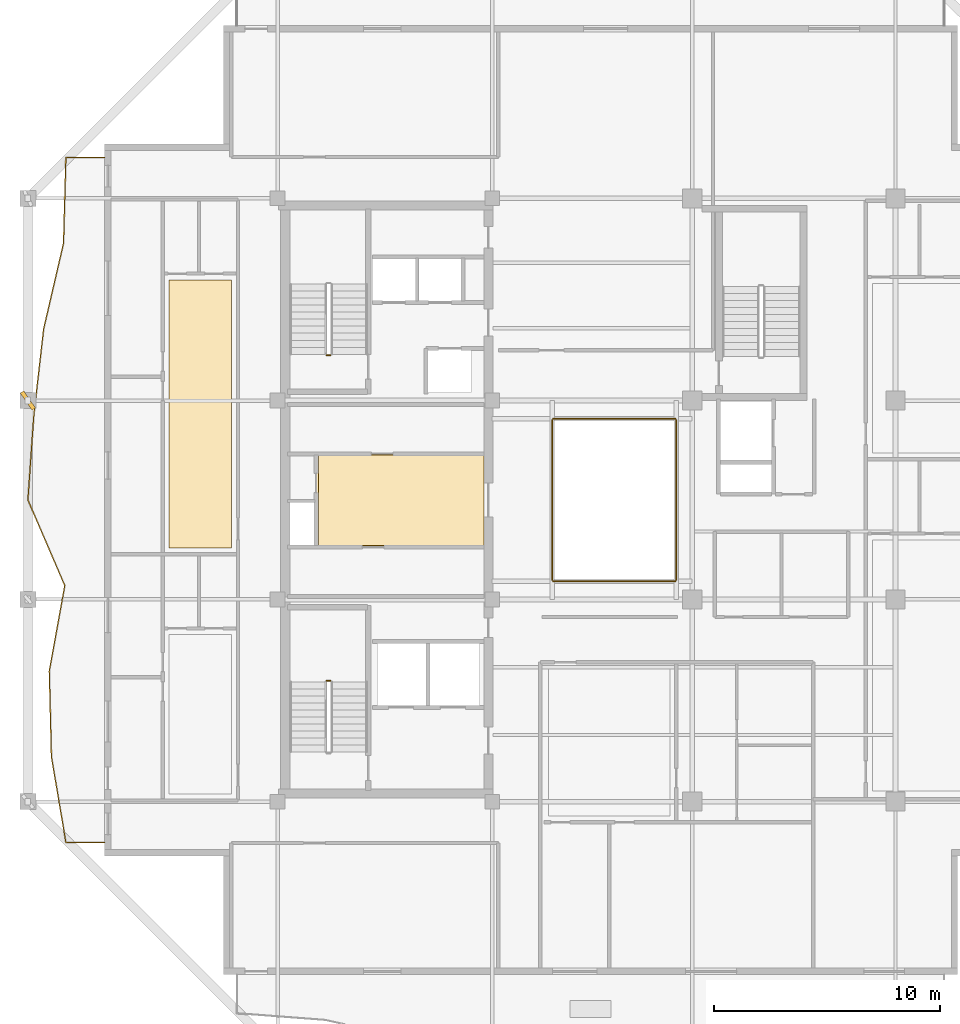
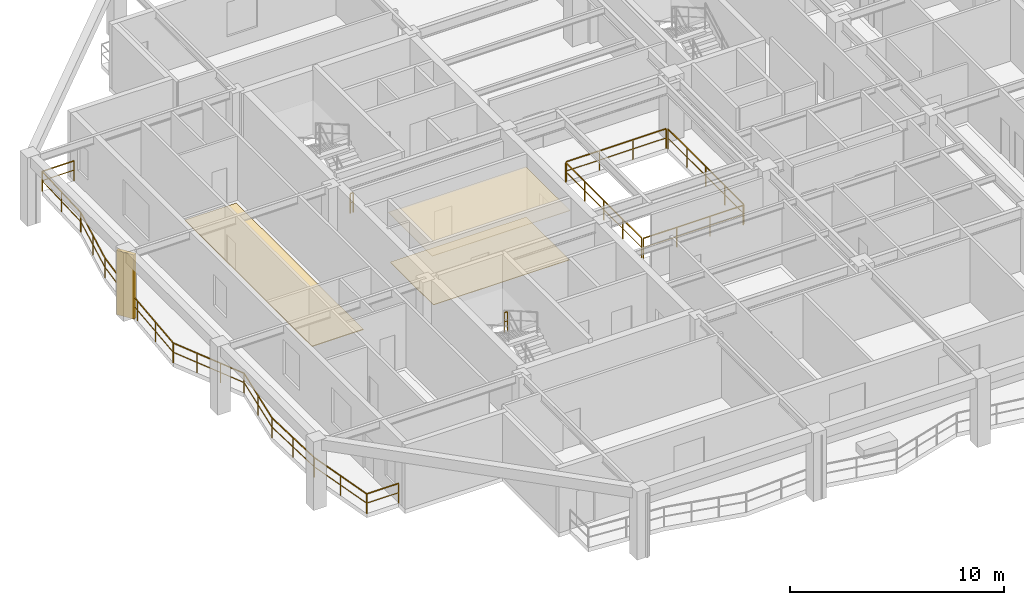
# One storey, part 9 of 12: 7 railings, 3 coverings, 1 shading device.
"""IFC4 building model written with IfcOpenShell, lengths in metres."""

from ifc_helpers import new_model, si_unit, direction, frame, origin, origin_2d, place, context, subcontext, project, spatial, polyline, rectangle, outline, extrude, material, layer, layer_set, type_object, element, save


model = new_model("IFC4")

# Units and contexts
model_context = context("Model", 3, precision=1e-05, world=origin(), true_north=direction((0.0, 1.0)))
body_context = subcontext(model_context, "Body", "Model", "MODEL_VIEW")
ifc_project = project(units=[si_unit("LENGTHUNIT", "METRE"), si_unit("AREAUNIT", "SQUARE_METRE"), si_unit("VOLUMEUNIT", "CUBIC_METRE"), si_unit("PLANEANGLEUNIT", "RADIAN"), si_unit("MASSUNIT", "GRAM", prefix="KILO")], contexts=[model_context])

# Site, building, storey
site_placement = place(None, origin())
site = spatial("IfcSite", under=ifc_project, at=site_placement, CompositionType="ELEMENT")
building_placement = place(site_placement, origin())
building = spatial("IfcBuilding", under=site, at=building_placement, Name="Kundavana Baori Tower", CompositionType="ELEMENT")
storey_placement = place(building_placement, frame((0.0, 0.0, 245.300048828125)))
storey = spatial("IfcBuildingStorey", under=building, at=storey_placement, Name="L60", CompositionType="ELEMENT", Elevation=245.300048828125)

# Coverings
ifc_material_1 = material(Name="Honed Kota Stone and Terrazzo Flooring", Category="masonry")
ifc_layer_1 = layer(ifc_material_1, 0.0400390625, Name="COV-FLR-TERR-40")
ifc_layer_set_1 = layer_set([ifc_layer_1], Name="Honed Kota Stone and Terrazzo Flooring")
covering_type_1 = type_object("IfcCoveringType", Name="COV-FLR-TERR-40", PredefinedType="FLOORING", material=ifc_layer_set_1)
covering_1_placement = place(storey_placement, origin())
element("IfcCovering", 1, at=covering_1_placement, inside=storey, type_object=covering_type_1, Name="L60 Room Finished Stone Flooring 2", PredefinedType="FLOORING", context=body_context, shape_type="SweptSolid", body=[
    extrude(outline(polyline([(10.64990234375, 26.47998046875), (13.419921875, 26.47998046875), (13.419921875, 38.340087890625), (10.64990234375, 38.340087890625), (10.64990234375, 26.47998046875)])), origin(), (0.0, 0.0, 1.0), 0.0400390625),
])
ifc_material_2 = material(Name="Perforated Acoustic Mineral Fibre Ceiling Board")
ifc_layer_2 = layer(ifc_material_2, 0.02490234375, Name="COV-INT-CEIL")
ifc_layer_set_2 = layer_set([ifc_layer_2], Name="Perforated Acoustic Mineral Fibre Ceiling Board")
covering_type_2 = type_object("IfcCoveringType", Name="COV-INT-CEIL", PredefinedType="CEILING", material=ifc_layer_set_2)
covering_2_placement = place(storey_placement, frame((0.0, 0.0, 2.849853515625)))
element("IfcCovering", 2, at=covering_2_placement, inside=storey, type_object=covering_type_2, Name="L60 Core Lift Lobby Acoustic Ceiling", PredefinedType="CEILING", context=body_context, shape_type="SweptSolid", body=[
    extrude(outline(polyline([(17.159912109375, 26.52001953125), (24.580078125, 26.52001953125), (24.580078125, 30.639892578125), (17.159912109375, 30.639892578125), (17.159912109375, 26.52001953125)])), origin(), (0.0, 0.0, 1.0), 0.025146484375),
])
ifc_material_3 = material(Name="Honed Kota Stone and Terrazzo Flooring", Category="masonry")
ifc_layer_3 = layer(ifc_material_3, 0.030029296875, Name="COV-INT-FLR")
ifc_layer_set_3 = layer_set([ifc_layer_3], Name="Honed Kota Stone and Terrazzo Flooring")
covering_type_3 = type_object("IfcCoveringType", Name="COV-INT-FLR", PredefinedType="FLOORING", material=ifc_layer_set_3)
covering_3_placement = place(storey_placement, origin())
element("IfcCovering", 3, at=covering_3_placement, inside=storey, type_object=covering_type_3, Name="L60 Core Lift Lobby Kota Stone Flooring", PredefinedType="FLOORING", context=body_context, shape_type="SweptSolid", body=[
    extrude(outline(polyline([(17.25, 26.580078125), (24.580078125, 26.580078125), (24.580078125, 30.60009765625), (17.25, 30.60009765625), (17.25, 26.580078125)])), origin(), (0.0, 0.0, 1.0), 0.030029296875),
])

# Railings
ifc_material_4 = material(Name="Architectural Patinated Bronze Metalwork")
railing_type_1 = type_object("IfcRailingType", Name="RL-BAL-1150", PredefinedType="BALUSTRADE", material=ifc_material_4)
railing_1_placement = place(storey_placement, frame((7.800048828125, 13.449951171875, 0.0)))
element("IfcRailing", 4, at=railing_1_placement, inside=storey, type_object=railing_type_1, Name="L60 Loggia Balcony Balustrade W", PredefinedType="BALUSTRADE", context=body_context, shape_type="SweptSolid", body=[
    extrude(rectangle(XDim=0.048095703125, YDim=0.048095703125, at=origin_2d()), frame((0.0, 0.0, 1.1259765625), z_axis=(-1.0, 0.0, 0.0), x_axis=(0.0, -1.0, 0.0)), (0.0, 0.0, 1.0), 1.719970703125),
    extrude(rectangle(XDim=0.03125, YDim=0.03125, at=origin_2d()), frame((0.0, 0.0, 0.597900390625), z_axis=(-1.0, 0.0, 0.0), x_axis=(0.0, -1.0, 0.0)), (0.0, 0.0, 1.0), 1.719970703125),
    extrude(rectangle(XDim=0.048095703125, YDim=0.048095703125, at=origin_2d()), frame((-1.719970703125, 0.0, 1.1259765625), z_axis=(-0.166871609429, 0.985978633626, 0.0), x_axis=(-0.985978633626, -0.166871609429, 0.0)), (0.0, 0.0, 1.0), 3.842041015625),
    extrude(rectangle(XDim=0.03125, YDim=0.03125, at=origin_2d()), frame((-1.719970703125, 0.0, 0.597900390625), z_axis=(-0.166871609429, 0.985978633626, 0.0), x_axis=(-0.985978633626, -0.166871609429, 0.0)), (0.0, 0.0, 1.0), 3.842041015625),
    extrude(rectangle(XDim=0.048095703125, YDim=0.048095703125, at=origin_2d()), frame((-2.361083984375, 3.7880859375, 1.1259765625), z_axis=(-0.024813452264, 0.999692098892, 0.0), x_axis=(-0.999692098892, -0.024813452264, 0.0)), (0.0, 0.0, 1.0), 3.7880859375),
    extrude(rectangle(XDim=0.03125, YDim=0.03125, at=origin_2d()), frame((-2.361083984375, 3.7880859375, 0.597900390625), z_axis=(-0.024813452264, 0.999692098892, 0.0), x_axis=(-0.999692098892, -0.024813452264, 0.0)), (0.0, 0.0, 1.0), 3.7880859375),
    extrude(rectangle(XDim=0.048095703125, YDim=0.048095703125, at=origin_2d()), frame((-2.455078125, 7.574951171875, 1.1259765625), z_axis=(0.178003342626, 0.984029882683, 0.0), x_axis=(-0.984029882683, 0.178003342626, 0.0)), (0.0, 0.0, 1.0), 3.8486328125),
    extrude(rectangle(XDim=0.03125, YDim=0.03125, at=origin_2d()), frame((-2.455078125, 7.574951171875, 0.597900390625), z_axis=(0.178003342626, 0.984029882683, 0.0), x_axis=(-0.984029882683, 0.178003342626, 0.0)), (0.0, 0.0, 1.0), 3.8486328125),
    extrude(rectangle(XDim=0.048095703125, YDim=0.048095703125, at=origin_2d()), frame((-1.77001953125, 11.362060546875, 1.1259765625), z_axis=(-0.395283544227, 0.918559154145, 0.0), x_axis=(-0.918559154145, -0.395283544227, 0.0)), (0.0, 0.0, 1.0), 4.1240234375),
    extrude(rectangle(XDim=0.03125, YDim=0.03125, at=origin_2d()), frame((-1.77001953125, 11.362060546875, 0.597900390625), z_axis=(-0.395283544227, 0.918559154145, 0.0), x_axis=(-0.918559154145, -0.395283544227, 0.0)), (0.0, 0.0, 1.0), 4.1240234375),
    extrude(rectangle(XDim=0.048095703125, YDim=0.048095703125, at=origin_2d()), frame((-3.400146484375, 15.150146484375, 1.1259765625), z_axis=(0.069314037463, 0.997594889828, 0.0), x_axis=(-0.997594889828, 0.069314037463, 0.0)), (0.0, 0.0, 1.0), 3.796875),
    extrude(rectangle(XDim=0.03125, YDim=0.03125, at=origin_2d()), frame((-3.400146484375, 15.150146484375, 0.597900390625), z_axis=(0.069314037463, 0.997594889828, 0.0), x_axis=(-0.997594889828, 0.069314037463, 0.0)), (0.0, 0.0, 1.0), 3.796875),
    extrude(rectangle(XDim=0.048095703125, YDim=0.048095703125, at=origin_2d()), frame((-3.136962890625, 18.93798828125, 1.1259765625), z_axis=(0.113306331836, 0.993560101436, 0.0), x_axis=(-0.993560101436, 0.113306331836, 0.0)), (0.0, 0.0, 1.0), 3.811767578125),
    extrude(rectangle(XDim=0.03125, YDim=0.03125, at=origin_2d()), frame((-3.136962890625, 18.93798828125, 0.597900390625), z_axis=(0.113306331836, 0.993560101436, 0.0), x_axis=(-0.993560101436, 0.113306331836, 0.0)), (0.0, 0.0, 1.0), 3.811767578125),
    extrude(rectangle(XDim=0.048095703125, YDim=0.048095703125, at=origin_2d()), frame((-2.705078125, 22.72509765625, 1.1259765625), z_axis=(0.226143540323, 0.974093988879, 0.0), x_axis=(-0.974093988879, 0.226143540323, 0.0)), (0.0, 0.0, 1.0), 3.8876953125),
    extrude(rectangle(XDim=0.03125, YDim=0.03125, at=origin_2d()), frame((-2.705078125, 22.72509765625, 0.597900390625), z_axis=(0.226143540323, 0.974093988879, 0.0), x_axis=(-0.974093988879, 0.226143540323, 0.0)), (0.0, 0.0, 1.0), 3.8876953125),
    extrude(rectangle(XDim=0.048095703125, YDim=0.048095703125, at=origin_2d()), frame((-1.825927734375, 26.511962890625, 1.1259765625), z_axis=(0.027960190916, 0.999609037436, 0.0), x_axis=(-0.999609037436, 0.027960190916, 0.0)), (0.0, 0.0, 1.0), 3.78955078125),
    extrude(rectangle(XDim=0.03125, YDim=0.03125, at=origin_2d()), frame((-1.825927734375, 26.511962890625, 0.597900390625), z_axis=(0.027960190916, 0.999609037436, 0.0), x_axis=(-0.999609037436, 0.027960190916, 0.0)), (0.0, 0.0, 1.0), 3.78955078125),
    extrude(rectangle(XDim=0.048095703125, YDim=0.048095703125, at=origin_2d()), frame((-1.719970703125, 30.300048828125, 1.1259765625), z_axis=(1.0, 0.0, 0.0), x_axis=(0.0, 1.0, 0.0)), (0.0, 0.0, 1.0), 1.719970703125),
    extrude(rectangle(XDim=0.03125, YDim=0.03125, at=origin_2d()), frame((-1.719970703125, 30.300048828125, 0.597900390625), z_axis=(1.0, 0.0, 0.0), x_axis=(0.0, 1.0, 0.0)), (0.0, 0.0, 1.0), 1.719970703125),
    extrude(rectangle(XDim=0.0419921875, YDim=0.0419921875, at=origin_2d()), origin(), (0.0, 0.0, 1.0), 1.101806640625),
    extrude(rectangle(XDim=0.0419921875, YDim=0.0419921875, at=origin_2d()), frame((-1.719970703125, 0.0, 0.0)), (0.0, 0.0, 1.0), 1.101806640625),
    extrude(rectangle(XDim=0.0419921875, YDim=0.0419921875, at=origin_2d()), frame((-2.04052734375, 1.89404296875, 0.0)), (0.0, 0.0, 1.0), 1.101806640625),
    extrude(rectangle(XDim=0.0419921875, YDim=0.0419921875, at=origin_2d()), frame((-2.361083984375, 3.7880859375, 0.0)), (0.0, 0.0, 1.0), 1.101806640625),
    extrude(rectangle(XDim=0.0419921875, YDim=0.0419921875, at=origin_2d()), frame((-2.408203125, 5.681640625, 0.0)), (0.0, 0.0, 1.0), 1.101806640625),
    extrude(rectangle(XDim=0.0419921875, YDim=0.0419921875, at=origin_2d()), frame((-2.455078125, 7.574951171875, 0.0)), (0.0, 0.0, 1.0), 1.101806640625),
    extrude(rectangle(XDim=0.0419921875, YDim=0.0419921875, at=origin_2d()), frame((-2.112548828125, 9.468505859375, 0.0)), (0.0, 0.0, 1.0), 1.101806640625),
    extrude(rectangle(XDim=0.0419921875, YDim=0.0419921875, at=origin_2d()), frame((-1.77001953125, 11.362060546875, 0.0)), (0.0, 0.0, 1.0), 1.101806640625),
    extrude(rectangle(XDim=0.0419921875, YDim=0.0419921875, at=origin_2d()), frame((-2.3134765625, 12.624755859375, 0.0)), (0.0, 0.0, 1.0), 1.101806640625),
    extrude(rectangle(XDim=0.0419921875, YDim=0.0419921875, at=origin_2d()), frame((-2.856689453125, 13.887451171875, 0.0)), (0.0, 0.0, 1.0), 1.101806640625),
    extrude(rectangle(XDim=0.0419921875, YDim=0.0419921875, at=origin_2d()), frame((-3.400146484375, 15.150146484375, 0.0)), (0.0, 0.0, 1.0), 1.101806640625),
    extrude(rectangle(XDim=0.0419921875, YDim=0.0419921875, at=origin_2d()), frame((-3.2685546875, 17.0439453125, 0.0)), (0.0, 0.0, 1.0), 1.101806640625),
    extrude(rectangle(XDim=0.0419921875, YDim=0.0419921875, at=origin_2d()), frame((-3.136962890625, 18.93798828125, 0.0)), (0.0, 0.0, 1.0), 1.101806640625),
    extrude(rectangle(XDim=0.0419921875, YDim=0.0419921875, at=origin_2d()), frame((-2.9208984375, 20.83154296875, 0.0)), (0.0, 0.0, 1.0), 1.101806640625),
    extrude(rectangle(XDim=0.0419921875, YDim=0.0419921875, at=origin_2d()), frame((-2.705078125, 22.72509765625, 0.0)), (0.0, 0.0, 1.0), 1.101806640625),
    extrude(rectangle(XDim=0.0419921875, YDim=0.0419921875, at=origin_2d()), frame((-2.265625, 24.61865234375, 0.0)), (0.0, 0.0, 1.0), 1.101806640625),
    extrude(rectangle(XDim=0.0419921875, YDim=0.0419921875, at=origin_2d()), frame((-1.825927734375, 26.511962890625, 0.0)), (0.0, 0.0, 1.0), 1.101806640625),
    extrude(rectangle(XDim=0.0419921875, YDim=0.0419921875, at=origin_2d()), frame((-1.77294921875, 28.406005859375, 0.0)), (0.0, 0.0, 1.0), 1.101806640625),
    extrude(rectangle(XDim=0.0419921875, YDim=0.0419921875, at=origin_2d()), frame((-1.719970703125, 30.300048828125, 0.0)), (0.0, 0.0, 1.0), 1.101806640625),
    extrude(rectangle(XDim=0.0419921875, YDim=0.0419921875, at=origin_2d()), frame((0.0, 30.300048828125, 0.0)), (0.0, 0.0, 1.0), 1.101806640625),
])
ifc_material_5 = material(Name="Architectural Patinated Bronze Metalwork")
railing_type_2 = type_object("IfcRailingType", Name="RL-GRD-1150", PredefinedType="GUARDRAIL", material=ifc_material_5)
for number, where, name in (
    (5, (17.7900390625, 20.60009765625, 1.949951171875), "L60 ST1 stair guard 2"),
    (6, (17.7900390625, 35.0, 0.0), "L60 ST2 stair guard 4"),
):
    element("IfcRailing", number, at=place(storey_placement, frame(where)), inside=storey, type_object=railing_type_2, Name=name, PredefinedType="GUARDRAIL", context=body_context, shape_type="SweptSolid", body=[
        extrude(rectangle(XDim=0.048095703125, YDim=0.048095703125, at=origin_2d()), frame((0.0, 0.0, 1.1259765625), z_axis=(-1.0, 0.0, 0.0), x_axis=(0.0, -1.0, 0.0)), (0.0, 0.0, 1.0), 0.16015625),
        extrude(rectangle(XDim=0.03125, YDim=0.03125, at=origin_2d()), frame((0.0, 0.0, 0.597900390625), z_axis=(-1.0, 0.0, 0.0), x_axis=(0.0, -1.0, 0.0)), (0.0, 0.0, 1.0), 0.16015625),
        extrude(rectangle(XDim=0.0419921875, YDim=0.0419921875, at=origin_2d()), origin(), (0.0, 0.0, 1.0), 1.101806640625),
        extrude(rectangle(XDim=0.0419921875, YDim=0.0419921875, at=origin_2d()), frame((-0.16015625, 0.0, 0.0)), (0.0, 0.0, 1.0), 1.101806640625),
    ])
railing_2_placement = place(storey_placement, frame((27.659912109375, 25.0, 0.0)))
element("IfcRailing", 7, at=railing_2_placement, inside=storey, type_object=railing_type_2, Name="L60 Atrium Void Perimeter Guardrail S", PredefinedType="GUARDRAIL", context=body_context, shape_type="SweptSolid", body=[
    extrude(rectangle(XDim=0.048095703125, YDim=0.048095703125, at=origin_2d()), frame((0.0, 0.0, 1.1259765625), z_axis=(1.0, 0.0, 0.0), x_axis=(0.0, 1.0, 0.0)), (0.0, 0.0, 1.0), 5.380126953125),
    extrude(rectangle(XDim=0.03125, YDim=0.03125, at=origin_2d()), frame((0.0, 0.0, 0.597900390625), z_axis=(1.0, 0.0, 0.0), x_axis=(0.0, 1.0, 0.0)), (0.0, 0.0, 1.0), 5.380126953125),
    extrude(rectangle(XDim=0.0419921875, YDim=0.0419921875, at=origin_2d()), origin(), (0.0, 0.0, 1.0), 1.101806640625),
    extrude(rectangle(XDim=0.0419921875, YDim=0.0419921875, at=origin_2d()), frame((1.79345703125, 0.0, 0.0)), (0.0, 0.0, 1.0), 1.101806640625),
    extrude(rectangle(XDim=0.0419921875, YDim=0.0419921875, at=origin_2d()), frame((3.586669921875, 0.0, 0.0)), (0.0, 0.0, 1.0), 1.101806640625),
    extrude(rectangle(XDim=0.0419921875, YDim=0.0419921875, at=origin_2d()), frame((5.380126953125, 0.0, 0.0)), (0.0, 0.0, 1.0), 1.101806640625),
])
railing_3_placement = place(storey_placement, frame((33.10009765625, 25.06005859375, 0.0)))
element("IfcRailing", 8, at=railing_3_placement, inside=storey, type_object=railing_type_2, Name="L60 Atrium Void Perimeter Guardrail E", PredefinedType="GUARDRAIL", context=body_context, shape_type="SweptSolid", body=[
    extrude(rectangle(XDim=0.048095703125, YDim=0.048095703125, at=origin_2d()), frame((0.0, 0.0, 1.1259765625), z_axis=(0.0, 1.0, 0.0), x_axis=(-1.0, 0.0, 0.0)), (0.0, 0.0, 1.0), 7.079833984375),
    extrude(rectangle(XDim=0.03125, YDim=0.03125, at=origin_2d()), frame((0.0, 0.0, 0.597900390625), z_axis=(0.0, 1.0, 0.0), x_axis=(-1.0, 0.0, 0.0)), (0.0, 0.0, 1.0), 7.079833984375),
    extrude(rectangle(XDim=0.0419921875, YDim=0.0419921875, at=origin_2d()), origin(), (0.0, 0.0, 1.0), 1.101806640625),
    extrude(rectangle(XDim=0.0419921875, YDim=0.0419921875, at=origin_2d()), frame((0.0, 1.77001953125, 0.0)), (0.0, 0.0, 1.0), 1.101806640625),
    extrude(rectangle(XDim=0.0419921875, YDim=0.0419921875, at=origin_2d()), frame((0.0, 3.5400390625, 0.0)), (0.0, 0.0, 1.0), 1.101806640625),
    extrude(rectangle(XDim=0.0419921875, YDim=0.0419921875, at=origin_2d()), frame((0.0, 5.309814453125, 0.0)), (0.0, 0.0, 1.0), 1.101806640625),
    extrude(rectangle(XDim=0.0419921875, YDim=0.0419921875, at=origin_2d()), frame((0.0, 7.079833984375, 0.0)), (0.0, 0.0, 1.0), 1.101806640625),
])
railing_4_placement = place(storey_placement, frame((33.0400390625, 32.199951171875, 0.0)))
element("IfcRailing", 9, at=railing_4_placement, inside=storey, type_object=railing_type_2, Name="L60 Atrium Void Perimeter Guardrail N", PredefinedType="GUARDRAIL", context=body_context, shape_type="SweptSolid", body=[
    extrude(rectangle(XDim=0.048095703125, YDim=0.048095703125, at=origin_2d()), frame((0.0, 0.0, 1.1259765625), z_axis=(-1.0, 0.0, 0.0), x_axis=(0.0, -1.0, 0.0)), (0.0, 0.0, 1.0), 5.380126953125),
    extrude(rectangle(XDim=0.03125, YDim=0.03125, at=origin_2d()), frame((0.0, 0.0, 0.597900390625), z_axis=(-1.0, 0.0, 0.0), x_axis=(0.0, -1.0, 0.0)), (0.0, 0.0, 1.0), 5.380126953125),
    extrude(rectangle(XDim=0.0419921875, YDim=0.0419921875, at=origin_2d()), origin(), (0.0, 0.0, 1.0), 1.101806640625),
    extrude(rectangle(XDim=0.0419921875, YDim=0.0419921875, at=origin_2d()), frame((-1.79345703125, 0.0, 0.0)), (0.0, 0.0, 1.0), 1.101806640625),
    extrude(rectangle(XDim=0.0419921875, YDim=0.0419921875, at=origin_2d()), frame((-3.586669921875, 0.0, 0.0)), (0.0, 0.0, 1.0), 1.101806640625),
    extrude(rectangle(XDim=0.0419921875, YDim=0.0419921875, at=origin_2d()), frame((-5.380126953125, 0.0, 0.0)), (0.0, 0.0, 1.0), 1.101806640625),
])
railing_5_placement = place(storey_placement, frame((27.60009765625, 32.139892578125, 0.0)))
element("IfcRailing", 10, at=railing_5_placement, inside=storey, type_object=railing_type_2, Name="L60 Atrium Void Perimeter Guardrail W", PredefinedType="GUARDRAIL", context=body_context, shape_type="SweptSolid", body=[
    extrude(rectangle(XDim=0.048095703125, YDim=0.048095703125, at=origin_2d()), frame((0.0, 0.0, 1.1259765625), z_axis=(0.0, -1.0, 0.0), x_axis=(1.0, 0.0, 0.0)), (0.0, 0.0, 1.0), 7.079833984375),
    extrude(rectangle(XDim=0.03125, YDim=0.03125, at=origin_2d()), frame((0.0, 0.0, 0.597900390625), z_axis=(0.0, -1.0, 0.0), x_axis=(1.0, 0.0, 0.0)), (0.0, 0.0, 1.0), 7.079833984375),
    extrude(rectangle(XDim=0.0419921875, YDim=0.0419921875, at=origin_2d()), origin(), (0.0, 0.0, 1.0), 1.101806640625),
    extrude(rectangle(XDim=0.0419921875, YDim=0.0419921875, at=origin_2d()), frame((0.0, -1.77001953125, 0.0)), (0.0, 0.0, 1.0), 1.101806640625),
    extrude(rectangle(XDim=0.0419921875, YDim=0.0419921875, at=origin_2d()), frame((0.0, -3.5400390625, 0.0)), (0.0, 0.0, 1.0), 1.101806640625),
    extrude(rectangle(XDim=0.0419921875, YDim=0.0419921875, at=origin_2d()), frame((0.0, -5.309814453125, 0.0)), (0.0, 0.0, 1.0), 1.101806640625),
    extrude(rectangle(XDim=0.0419921875, YDim=0.0419921875, at=origin_2d()), frame((0.0, -7.079833984375, 0.0)), (0.0, 0.0, 1.0), 1.101806640625),
])

# Shading device
ifc_material_6 = material(Name="Red-Buff Dholpur Sandstone Cladding on Concrete C40/50", Category="masonry")
shading_device_type = type_object("IfcShadingDeviceType", Name="SHD-FIN-920", PredefinedType="JALOUSIE", material=ifc_material_6)
shading_device_placement = place(storey_placement, frame((4.39990234375, 33.0, 0.0), z_axis=(0.0, 0.0, 1.0), x_axis=(0.822044670489, 0.569423005964, 0.0)))
element("IfcShadingDevice", 11, at=shading_device_placement, inside=storey, type_object=shading_device_type, Name="L60 Sweeping Dholpur Sandstone Facade Fin 7", PredefinedType="JALOUSIE", context=body_context, shape_type="SweptSolid", body=[
    extrude(rectangle(XDim=0.179931640625, YDim=0.919921875, at=origin_2d()), origin(), (0.0, 0.0, 1.0), 3.659912109375),
])

save(model, "model.ifc")
